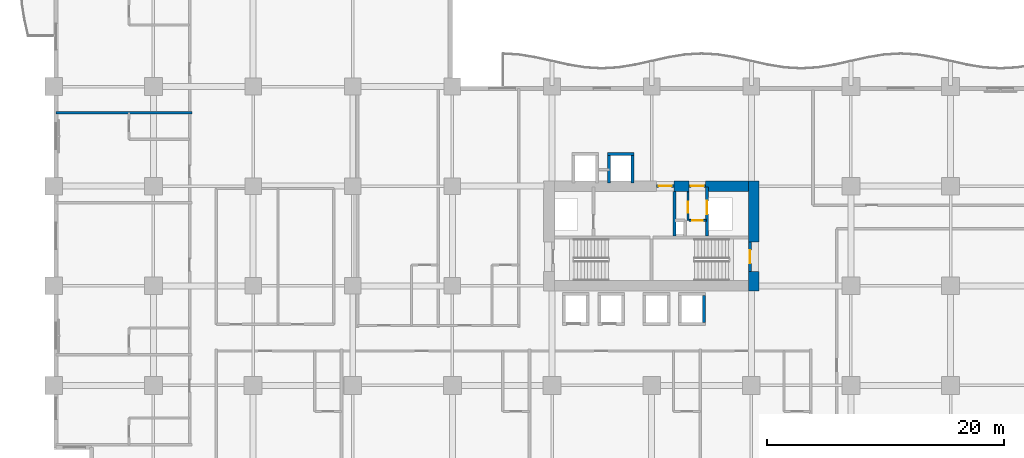
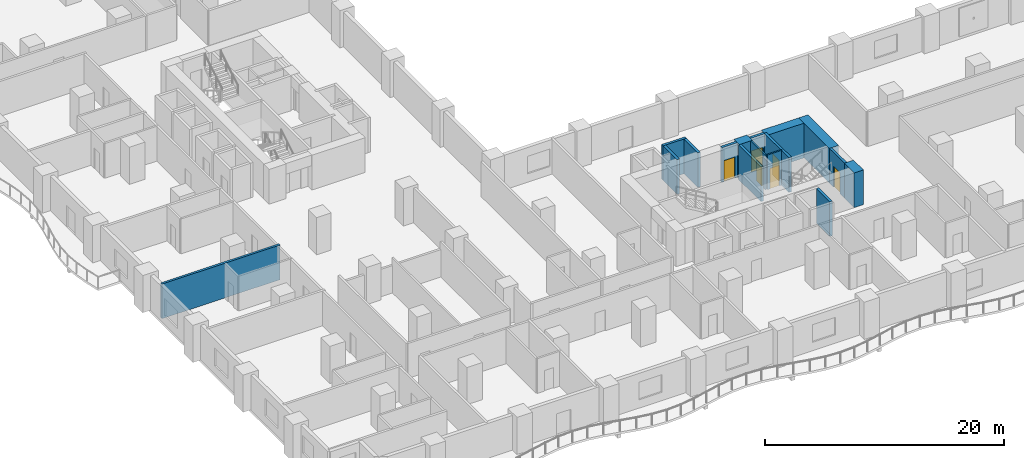
# One storey, part 13 of 27: 16 walls, 6 doors, 6 openings.
"""IFC4 building model written with IfcOpenShell, lengths in metres."""

from ifc_helpers import new_model, si_unit, direction, frame, frame_2d, origin, place, context, subcontext, project, spatial, rectangle, extrude, material, layer, layer_set, type_object, element, fill, save


model = new_model("IFC4")

# Units and contexts
model_context = context("Model", 3, precision=1e-05, world=origin(), true_north=direction((0.0, 1.0)))
body_context = subcontext(model_context, "Body", "Model", "MODEL_VIEW")
ifc_project = project(units=[si_unit("LENGTHUNIT", "METRE"), si_unit("AREAUNIT", "SQUARE_METRE"), si_unit("VOLUMEUNIT", "CUBIC_METRE"), si_unit("PLANEANGLEUNIT", "RADIAN"), si_unit("MASSUNIT", "GRAM", prefix="KILO")], contexts=[model_context])

# Site, building, storey
site_placement = place(None, origin())
site = spatial("IfcSite", under=ifc_project, at=site_placement, CompositionType="ELEMENT")
building_placement = place(site_placement, origin())
building = spatial("IfcBuilding", under=site, at=building_placement, Name="Koriwani Terraces Tower", CompositionType="ELEMENT")
storey_placement = place(building_placement, frame((0.0, 0.0, 70.0)))
storey = spatial("IfcBuildingStorey", under=building, at=storey_placement, Name="L16", CompositionType="ELEMENT", Elevation=70.0)

# Walls
ifc_material_1 = material(Name="Concrete C60/75", Category="concrete")
ifc_layer_1 = layer(ifc_material_1, 0.89990234375, Name="Concrete C60/75")
ifc_layer_set_1 = layer_set([ifc_layer_1], Name="Concrete C60/75")
wall_type_1 = type_object("IfcWallType", Name="WALL_CORE_RC_900", PredefinedType="SHEAR", material=ifc_layer_set_1)
wall_1_placement = place(storey_placement, frame((59.0, 16.35009765625, 0.0), z_axis=(0.0, 0.0, 1.0), x_axis=(0.0, 1.0, 0.0)))
element("IfcWall", 1, at=wall_1_placement, inside=storey, type_object=wall_type_1, Name="L16 East Split Core Shear Wall E1", PredefinedType="SHEAR", context=body_context, shape_type="SweptSolid", body=[
    extrude(rectangle(XDim=1.64990234375, YDim=0.89990234375, at=frame_2d((0.824951171875, 0.0))), origin(), (0.0, 0.0, 1.0), 3.550048828125),
])
wall_2_placement = place(storey_placement, frame((59.0, 20.5, 0.0), z_axis=(0.0, 0.0, 1.0), x_axis=(0.0, 1.0, 0.0)))
element("IfcWall", 2, at=wall_2_placement, inside=storey, type_object=wall_type_1, Name="L16 East Split Core Shear Wall E2", PredefinedType="SHEAR", context=body_context, shape_type="SweptSolid", body=[
    extrude(rectangle(XDim=5.14990234375, YDim=0.89990234375, at=frame_2d((2.574951171875, 0.0))), origin(), (0.0, 0.0, 1.0), 3.550048828125),
])
wall_3_placement = place(storey_placement, frame((52.280029296875, 25.199951171875, 0.0), z_axis=(0.0, 0.0, 1.0), x_axis=(1.0, 0.0, 0.0)))
element("IfcWall", 3, at=wall_3_placement, inside=storey, type_object=wall_type_1, Name="L16 East Split Core Shear Wall N2", PredefinedType="SHEAR", context=body_context, shape_type="SweptSolid", body=[
    extrude(rectangle(XDim=1.27001953125, YDim=0.89990234375, at=frame_2d((0.635009765625, 0.0))), origin(), (0.0, 0.0, 1.0), 3.550048828125),
])
wall_4_placement = place(storey_placement, frame((54.949951171875, 25.199951171875, 0.0), z_axis=(0.0, 0.0, 1.0), x_axis=(1.0, 0.0, 0.0)))
element("IfcWall", 4, at=wall_4_placement, inside=storey, type_object=wall_type_1, Name="L16 East Split Core Shear Wall N3", PredefinedType="SHEAR", context=body_context, shape_type="SweptSolid", body=[
    extrude(rectangle(XDim=3.60009765625, YDim=0.89990234375, at=frame_2d((1.800048828125, 0.0))), origin(), (0.0, 0.0, 1.0), 3.550048828125),
])
ifc_material_2 = material(Name="Autoclaved Cellular Concrete Blockwork", Category="masonry")
ifc_layer_2 = layer(ifc_material_2, 0.219970703125, Name="Autoclaved Cellular Concrete Blockwork")
ifc_layer_set_2 = layer_set([ifc_layer_2], Name="Autoclaved Cellular Concrete Blockwork")
wall_type_2 = type_object("IfcWallType", Name="WALL_DEMISING_220", PredefinedType="PARTITIONING", material=ifc_layer_set_2)
wall_5_placement = place(storey_placement, frame((0.199951171875, 31.39990234375, 0.0), z_axis=(0.0, 0.0, 1.0), x_axis=(1.0, 0.0, 0.0)))
element("IfcWall", 5, at=wall_5_placement, inside=storey, type_object=wall_type_2, Name="L16 Interior Wall WDEM-L16-NW-3", PredefinedType="PARTITIONING", context=body_context, shape_type="SweptSolid", body=[
    extrude(rectangle(XDim=11.429931640625, YDim=0.219970703125, at=frame_2d((5.71484375, 0.0))), origin(), (0.0, 0.0, 1.0), 3.550048828125),
])

# Wall, opening, door
ifc_material_3 = material(Name="Concrete C40/50", Category="concrete")
ifc_layer_3 = layer(ifc_material_3, 0.25, Name="Concrete C40/50")
ifc_layer_set_3 = layer_set([ifc_layer_3], Name="Concrete C40/50")
wall_type_3 = type_object("IfcWallType", Name="WALL_SHAFT_RATED_250", PredefinedType="SOLIDWALL", material=ifc_layer_set_3)
wall_6_placement = place(storey_placement, frame((58.675048828125, 18.0, 0.0), z_axis=(0.0, 0.0, 1.0), x_axis=(0.0, 1.0, 0.0)))
wall_6 = element("IfcWall", 6, at=wall_6_placement, inside=storey, type_object=wall_type_3, Name="L16 Interior Wall WIN-CE-L16-STE", PredefinedType="SOLIDWALL", context=body_context, shape_type="SweptSolid", body=[
    extrude(rectangle(XDim=2.5, YDim=0.25, at=frame_2d((1.25, 0.0))), origin(), (0.0, 0.0, 1.0), 3.550048828125),
])
opening_1_placement = place(wall_6_placement, frame((0.699951171875, 0.0, 0.0)))
opening_1 = element("IfcOpeningElement", 7, at=opening_1_placement, cuts=wall_6, Name="Opening D-03", PredefinedType="OPENING", context=body_context, shape_type="SweptSolid", body=[
    extrude(rectangle(XDim=1.10009765625, YDim=2.14990234375, at=frame_2d((0.550048828125, 1.074951171875))), frame((0.0, 0.135009765625, 0.0), z_axis=(0.0, -1.0, 0.0), x_axis=(1.0, 0.0, 0.0)), (0.0, 0.0, 1.0), 0.27001953125),
])
ifc_material_4 = material(Name="Steel ASTM A572 Grade 50", Category="steel")
door_type_1 = type_object("IfcDoorType", Name="DOOR_STAIR_FIRE_1100X2150", OperationType="NOTDEFINED", PredefinedType="DOOR", material=ifc_material_4)
door_1_placement = place(opening_1_placement, origin())
door_1 = element("IfcDoor", 8, at=door_1_placement, inside=storey, type_object=door_type_1, Name="L16 Exit Stair ST-E2 Door", OperationType="SINGLE_SWING_LEFT", OverallHeight=2.14990234375, OverallWidth=1.10009765625, PredefinedType="DOOR", context=body_context, shape_type="SweptSolid", body=[
    extrude(rectangle(XDim=1.10009765625, YDim=2.14990234375, at=frame_2d((0.550048828125, 1.074951171875))), frame((0.0, 0.02490234375, 0.0), z_axis=(0.0, -1.0, 0.0), x_axis=(1.0, 0.0, 0.0)), (0.0, 0.0, 1.0), 0.050048828125),
])
fill(opening_1, door_1)

wall_7_placement = place(storey_placement, frame((50.800048828125, 25.199951171875, 0.0), z_axis=(0.0, 0.0, 1.0), x_axis=(1.0, 0.0, 0.0)))
wall_7 = element("IfcWall", 9, at=wall_7_placement, inside=storey, type_object=wall_type_3, Name="L16 Interior Wall WIN-CE-L16-NP", PredefinedType="SOLIDWALL", context=body_context, shape_type="SweptSolid", body=[
    extrude(rectangle(XDim=1.47998046875, YDim=0.25, at=frame_2d((0.739990234375, 0.0))), origin(), (0.0, 0.0, 1.0), 3.550048828125),
])
opening_2_placement = place(wall_7_placement, frame((0.179931640625, 0.0, 0.0)))
opening_2 = element("IfcOpeningElement", 10, at=opening_2_placement, cuts=wall_7, Name="Opening D-03", PredefinedType="OPENING", context=body_context, shape_type="SweptSolid", body=[
    extrude(rectangle(XDim=1.10009765625, YDim=2.14990234375, at=frame_2d((0.550048828125, 1.074951171875))), frame((0.0, 0.135009765625, 0.0), z_axis=(0.0, -1.0, 0.0), x_axis=(1.0, 0.0, 0.0)), (0.0, 0.0, 1.0), 0.27001953125),
])
door_2_placement = place(opening_2_placement, origin())
door_2 = element("IfcDoor", 11, at=door_2_placement, inside=storey, type_object=door_type_1, Name="L16 East Firefighting Lobby Door", OperationType="SINGLE_SWING_RIGHT", OverallHeight=2.14990234375, OverallWidth=1.10009765625, PredefinedType="DOOR", context=body_context, shape_type="SweptSolid", body=[
    extrude(rectangle(XDim=1.10009765625, YDim=2.14990234375, at=frame_2d((0.550048828125, 1.074951171875))), frame((0.0, 0.02490234375, 0.0), z_axis=(0.0, -1.0, 0.0), x_axis=(1.0, 0.0, 0.0)), (0.0, 0.0, 1.0), 0.050048828125),
])
fill(opening_2, door_2)

# Wall
wall_8_placement = place(storey_placement, frame((52.340087890625, 21.0, 0.0), z_axis=(0.0, 0.0, 1.0), x_axis=(0.0, 1.0, 0.0)))
element("IfcWall", 12, at=wall_8_placement, inside=storey, type_object=wall_type_3, Name="L16 Interior Wall WIN-CE-L16-FFE", PredefinedType="SOLIDWALL", context=body_context, shape_type="SweptSolid", body=[
    extrude(rectangle(XDim=3.75, YDim=0.25, at=frame_2d((1.875, 0.0))), origin(), (0.0, 0.0, 1.0), 3.550048828125),
])

# Wall, opening, door
wall_9_placement = place(storey_placement, frame((55.050048828125, 21.0, 0.0), z_axis=(0.0, 0.0, 1.0), x_axis=(0.0, 1.0, 0.0)))
wall_9 = element("IfcWall", 13, at=wall_9_placement, inside=storey, type_object=wall_type_3, Name="L16 Interior Wall WIN-CE-L16-SE", PredefinedType="SOLIDWALL", context=body_context, shape_type="SweptSolid", body=[
    extrude(rectangle(XDim=4.14990234375, YDim=0.25, at=frame_2d((2.074951171875, 0.0))), origin(), (0.0, 0.0, 1.0), 3.550048828125),
])
opening_3_placement = place(wall_9_placement, frame((1.85009765625, 0.0, 0.0)))
opening_3 = element("IfcOpeningElement", 14, at=opening_3_placement, cuts=wall_9, Name="Opening LD-01", PredefinedType="OPENING", context=body_context, shape_type="SweptSolid", body=[
    extrude(rectangle(XDim=1.10009765625, YDim=2.14990234375, at=frame_2d((0.550048828125, 1.074951171875))), frame((0.0, 0.135009765625, 0.0), z_axis=(0.0, -1.0, 0.0), x_axis=(1.0, 0.0, 0.0)), (0.0, 0.0, 1.0), 0.27001953125),
])
door_type_2 = type_object("IfcDoorType", Name="DOOR_LIFT_LANDING_1100X2200", OperationType="NOTDEFINED", PredefinedType="DOOR", material=ifc_material_4)
door_3_placement = place(opening_3_placement, origin())
door_3 = element("IfcDoor", 15, at=door_3_placement, inside=storey, type_object=door_type_2, Name="L16 Goods Lift SE-02 Landing Door", OperationType="SLIDING_TO_LEFT", OverallHeight=2.14990234375, OverallWidth=1.10009765625, PredefinedType="DOOR", context=body_context, shape_type="SweptSolid", body=[
    extrude(rectangle(XDim=1.10009765625, YDim=2.14990234375, at=frame_2d((0.550048828125, 1.074951171875))), frame((0.0, 0.02490234375, 0.0), z_axis=(0.0, -1.0, 0.0), x_axis=(1.0, 0.0, 0.0)), (0.0, 0.0, 1.0), 0.050048828125),
])
fill(opening_3, door_3)

wall_10_placement = place(storey_placement, frame((53.550048828125, 25.199951171875, 0.0), z_axis=(0.0, 0.0, 1.0), x_axis=(1.0, 0.0, 0.0)))
wall_10 = element("IfcWall", 16, at=wall_10_placement, inside=storey, type_object=wall_type_3, Name="L16 Interior Wall WIN-CE-L16-NP2", PredefinedType="SOLIDWALL", context=body_context, shape_type="SweptSolid", body=[
    extrude(rectangle(XDim=1.39990234375, YDim=0.25, at=frame_2d((0.699951171875, 0.0))), origin(), (0.0, 0.0, 1.0), 3.550048828125),
])
opening_4_placement = place(wall_10_placement, frame((0.14990234375, 0.0, 0.0)))
opening_4 = element("IfcOpeningElement", 17, at=opening_4_placement, cuts=wall_10, Name="Opening D-03", PredefinedType="OPENING", context=body_context, shape_type="SweptSolid", body=[
    extrude(rectangle(XDim=1.10009765625, YDim=2.14990234375, at=frame_2d((0.550048828125, 1.074951171875))), frame((0.0, 0.135009765625, 0.0), z_axis=(0.0, -1.0, 0.0), x_axis=(1.0, 0.0, 0.0)), (0.0, 0.0, 1.0), 0.27001953125),
])
door_4_placement = place(opening_4_placement, origin())
door_4 = element("IfcDoor", 18, at=door_4_placement, inside=storey, type_object=door_type_1, Name="L16 East Goods Lift Lobby Door", OperationType="SINGLE_SWING_LEFT", OverallHeight=2.14990234375, OverallWidth=1.10009765625, PredefinedType="DOOR", context=body_context, shape_type="SweptSolid", body=[
    extrude(rectangle(XDim=1.10009765625, YDim=2.14990234375, at=frame_2d((0.550048828125, 1.074951171875))), frame((0.0, 0.02490234375, 0.0), z_axis=(0.0, -1.0, 0.0), x_axis=(1.0, 0.0, 0.0)), (0.0, 0.0, 1.0), 0.050048828125),
])
fill(opening_4, door_4)

# Walls
for number, where, z_axis, x_axis, name in (
    (19, (54.800048828125, 13.72509765625, 0.0), (0.0, 0.0, 1.0), (0.0, 1.0, 0.0), "L16 Interior Wall WIN-LF-PE-M4-L16-E"),
    (20, (46.675048828125, 27.89990234375, 0.0), (0.0, 0.0, 1.0), (1.0, 0.0, 0.0), "L16 Interior Wall WIN-LF-PE-H4-L16-F"),
):
    element("IfcWall", number, at=place(storey_placement, frame(where, z_axis=z_axis, x_axis=x_axis)), inside=storey, type_object=wall_type_3, Name=name, PredefinedType="SOLIDWALL", context=body_context, shape_type="SweptSolid", body=[
        extrude(rectangle(XDim=2.25, YDim=0.25, at=frame_2d((1.125, 0.0))), origin(), (0.0, 0.0, 1.0), 3.550048828125),
    ])
for number, where, z_axis, x_axis, name in (
    (21, (46.800048828125, 25.449951171875, 0.0), (0.0, 0.0, 1.0), (0.0, 1.0, 0.0), "L16 Interior Wall WIN-LF-PE-H4-L16-W"),
    (22, (48.800048828125, 25.449951171875, 0.0), (0.0, 0.0, 1.0), (0.0, 1.0, 0.0), "L16 Interior Wall WIN-LF-PE-H4-L16-E"),
):
    element("IfcWall", number, at=place(storey_placement, frame(where, z_axis=z_axis, x_axis=x_axis)), inside=storey, type_object=wall_type_3, Name=name, PredefinedType="SOLIDWALL", context=body_context, shape_type="SweptSolid", body=[
        extrude(rectangle(XDim=2.324951171875, YDim=0.25, at=frame_2d((1.16259765625, 0.0))), origin(), (0.0, 0.0, 1.0), 3.550048828125),
    ])

# Wall, opening, door
ifc_material_5 = material(Name="Fire-Rated Acoustic Gypsum Partition", Category="masonry")
ifc_layer_4 = layer(ifc_material_5, 0.159912109375, Name="Fire-Rated Acoustic Gypsum Partition")
ifc_layer_set_4 = layer_set([ifc_layer_4], Name="Fire-Rated Acoustic Gypsum Partition")
wall_type_4 = type_object("IfcWallType", Name="WALL_SUITE_160", PredefinedType="PARTITIONING", material=ifc_layer_set_4)
wall_11_placement = place(storey_placement, frame((53.56005859375, 22.320068359375, 0.0), z_axis=(0.0, 0.0, 1.0), x_axis=(1.0, 0.0, 0.0)))
wall_11 = element("IfcWall", 23, at=wall_11_placement, inside=storey, type_object=wall_type_4, Name="L16 Interior Wall WIN-CE-L16-SV1A", PredefinedType="PARTITIONING", context=body_context, shape_type="SweptSolid", body=[
    extrude(rectangle(XDim=1.43994140625, YDim=0.159912109375, at=frame_2d((0.719970703125, 0.0))), origin(), (0.0, 0.0, 1.0), 3.550048828125),
])
opening_5_placement = place(wall_11_placement, frame((0.260009765625, 0.0, 0.0)))
opening_5 = element("IfcOpeningElement", 24, at=opening_5_placement, cuts=wall_11, Name="Opening D-07", PredefinedType="OPENING", context=body_context, shape_type="SweptSolid", body=[
    extrude(rectangle(XDim=0.89990234375, YDim=2.10009765625, at=frame_2d((0.449951171875, 1.050048828125))), frame((0.0, 0.08984375, 0.0), z_axis=(0.0, -1.0, 0.0), x_axis=(1.0, 0.0, 0.0)), (0.0, 0.0, 1.0), 0.179931640625),
])
ifc_material_6 = material(Name="Architectural Oak Fire Door", Category="wood")
door_type_3 = type_object("IfcDoorType", Name="DOOR_BATH_INT_900X2100", OperationType="NOTDEFINED", PredefinedType="DOOR", material=ifc_material_6)
door_5_placement = place(opening_5_placement, origin())
door_5 = element("IfcDoor", 25, at=door_5_placement, inside=storey, type_object=door_type_3, Name="L16 East Telecom Room Door", OperationType="SINGLE_SWING_RIGHT", OverallHeight=2.10009765625, OverallWidth=0.89990234375, PredefinedType="DOOR", context=body_context, shape_type="SweptSolid", body=[
    extrude(rectangle(XDim=0.89990234375, YDim=2.10009765625, at=frame_2d((0.449951171875, 1.050048828125))), frame((0.0, 0.02490234375, 0.0), z_axis=(0.0, -1.0, 0.0), x_axis=(1.0, 0.0, 0.0)), (0.0, 0.0, 1.0), 0.050048828125),
])
fill(opening_5, door_5)

wall_12_placement = place(storey_placement, frame((53.4599609375, 22.320068359375, 0.0), z_axis=(0.0, 0.0, 1.0), x_axis=(0.0, 1.0, 0.0)))
wall_12 = element("IfcWall", 26, at=wall_12_placement, inside=storey, type_object=wall_type_4, Name="L16 Interior Wall WIN-CE-L16-SV1B", PredefinedType="PARTITIONING", context=body_context, shape_type="SweptSolid", body=[
    extrude(rectangle(XDim=2.39990234375, YDim=0.159912109375, at=frame_2d((1.199951171875, 0.0))), origin(), (0.0, 0.0, 1.0), 3.550048828125),
])
opening_6_placement = place(wall_12_placement, frame((0.64990234375, 0.0, 0.0)))
opening_6 = element("IfcOpeningElement", 27, at=opening_6_placement, cuts=wall_12, Name="Opening D-07", PredefinedType="OPENING", context=body_context, shape_type="SweptSolid", body=[
    extrude(rectangle(XDim=0.89990234375, YDim=2.10009765625, at=frame_2d((0.449951171875, 1.050048828125))), frame((0.0, 0.08984375, 0.0), z_axis=(0.0, -1.0, 0.0), x_axis=(1.0, 0.0, 0.0)), (0.0, 0.0, 1.0), 0.179931640625),
])
door_6_placement = place(opening_6_placement, origin())
door_6 = element("IfcDoor", 28, at=door_6_placement, inside=storey, type_object=door_type_3, Name="L16 East Cleaners Closet Door", OperationType="SINGLE_SWING_LEFT", OverallHeight=2.10009765625, OverallWidth=0.89990234375, PredefinedType="DOOR", context=body_context, shape_type="SweptSolid", body=[
    extrude(rectangle(XDim=0.89990234375, YDim=2.10009765625, at=frame_2d((0.449951171875, 1.050048828125))), frame((0.0, 0.02490234375, 0.0), z_axis=(0.0, -1.0, 0.0), x_axis=(1.0, 0.0, 0.0)), (0.0, 0.0, 1.0), 0.050048828125),
])
fill(opening_6, door_6)

save(model, "model.ifc")
